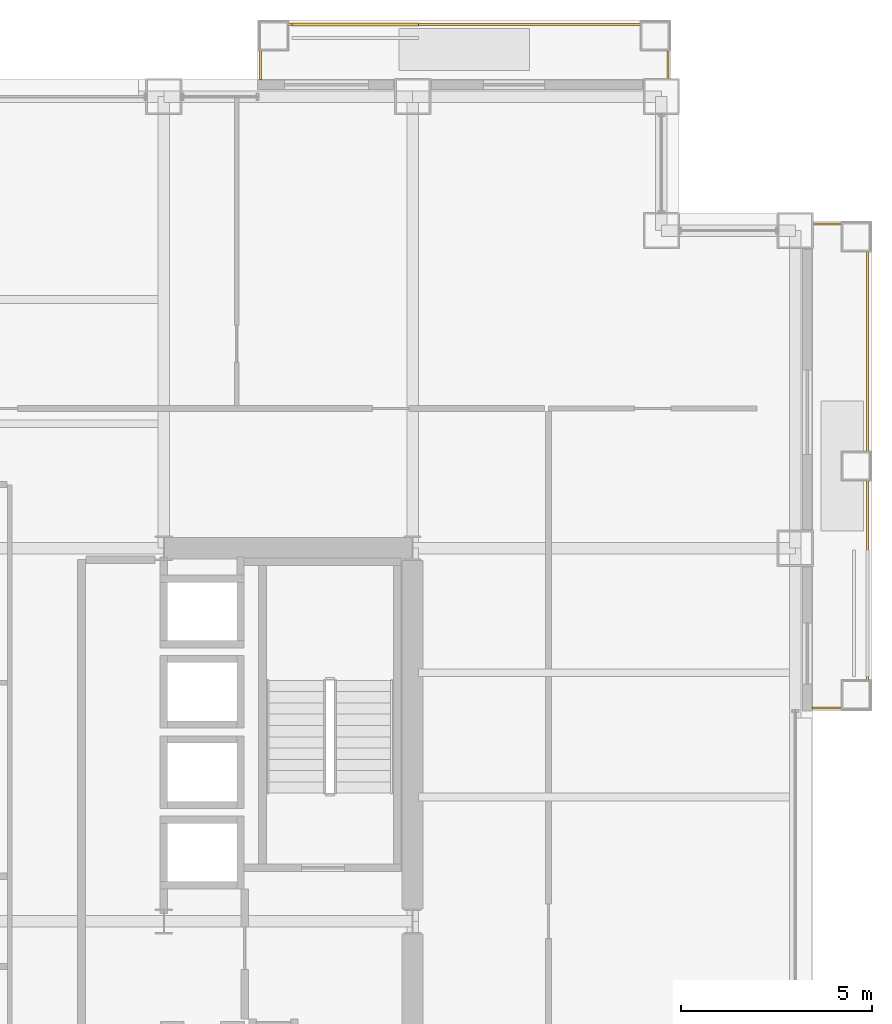
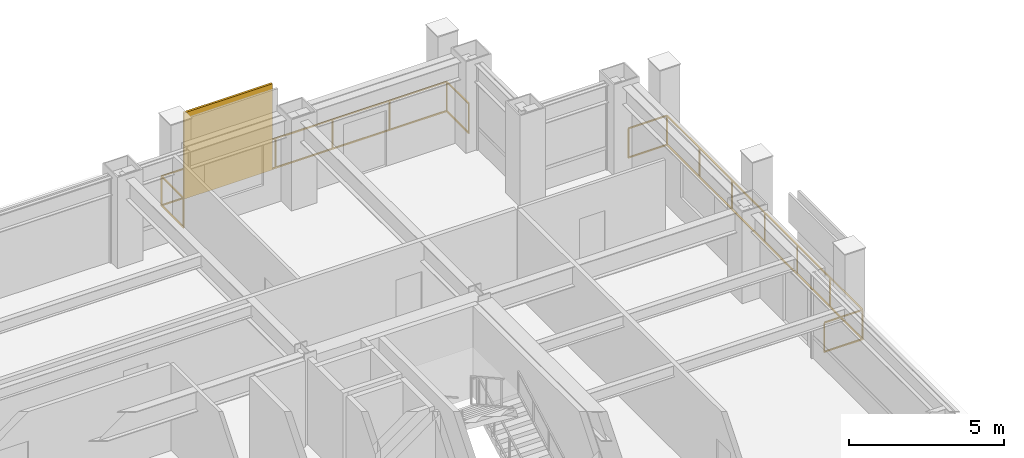
# One storey, part 30 of 31: 2 railings, 1 shading device.
"""IFC4 building model written with IfcOpenShell, lengths in metres."""

from ifc_helpers import new_model, si_unit, direction, frame, origin, origin_2d, place, context, subcontext, project, spatial, rectangle, extrude, material, layer, layer_set, type_object, element, save


model = new_model("IFC4")

# Units and contexts
model_context = context("Model", 3, precision=1e-05, world=origin(), true_north=direction((0.0, 1.0)))
body_context = subcontext(model_context, "Body", "Model", "MODEL_VIEW")
ifc_project = project(units=[si_unit("LENGTHUNIT", "METRE"), si_unit("AREAUNIT", "SQUARE_METRE"), si_unit("VOLUMEUNIT", "CUBIC_METRE"), si_unit("PLANEANGLEUNIT", "RADIAN"), si_unit("MASSUNIT", "GRAM", prefix="KILO")], contexts=[model_context])

# Site, building, storey
site_placement = place(None, origin())
site = spatial("IfcSite", under=ifc_project, at=site_placement, CompositionType="ELEMENT")
building_placement = place(site_placement, origin())
building = spatial("IfcBuilding", under=site, at=building_placement, Name="Brelmoor Portico Tower", CompositionType="ELEMENT")
storey_placement = place(building_placement, frame((0.0, 0.0, 38.39990234375)))
storey = spatial("IfcBuildingStorey", under=building, at=storey_placement, Name="L09", CompositionType="ELEMENT", Elevation=38.39990234375)

# Railings
ifc_material_1 = material(Name="Perforated Pale Champagne Aluminium Fretwork Guard", Category="aluminium")
railing_type = type_object("IfcRailingType", Name="RL-BALUSTRADE-1200", PredefinedType="BALUSTRADE", material=ifc_material_1)
railing_1_placement = place(storey_placement, frame((10.580078125, 22.0, 0.0)))
element("IfcRailing", 1, at=railing_1_placement, inside=storey, type_object=railing_type, Name="L09 Tree Balcony Fretwork Balustrade N", PredefinedType="BALUSTRADE", context=body_context, shape_type="SweptSolid", body=[
    extrude(rectangle(XDim=0.048095703125, YDim=0.048095703125, at=origin_2d()), frame((0.0, 0.0, 1.17578125), z_axis=(0.0, 1.0, 0.0), x_axis=(-1.0, 0.0, 0.0)), (0.0, 0.0, 1.0), 1.429931640625),
    extrude(rectangle(XDim=0.048095703125, YDim=0.048095703125, at=origin_2d()), frame((0.0, 0.0, 0.02392578125), z_axis=(0.0, 1.0, 0.0), x_axis=(-1.0, 0.0, 0.0)), (0.0, 0.0, 1.0), 1.429931640625),
    extrude(rectangle(XDim=0.048095703125, YDim=0.048095703125, at=origin_2d()), frame((0.0, 1.429931640625, 1.17578125), z_axis=(1.0, 0.0, 0.0), x_axis=(0.0, 1.0, 0.0)), (0.0, 0.0, 1.0), 10.639892578125),
    extrude(rectangle(XDim=0.048095703125, YDim=0.048095703125, at=origin_2d()), frame((0.0, 1.429931640625, 0.02392578125), z_axis=(1.0, 0.0, 0.0), x_axis=(0.0, 1.0, 0.0)), (0.0, 0.0, 1.0), 10.639892578125),
    extrude(rectangle(XDim=0.048095703125, YDim=0.048095703125, at=origin_2d()), frame((10.639892578125, 1.429931640625, 1.17578125), z_axis=(0.0, -1.0, 0.0), x_axis=(1.0, 0.0, 0.0)), (0.0, 0.0, 1.0), 1.429931640625),
    extrude(rectangle(XDim=0.048095703125, YDim=0.048095703125, at=origin_2d()), frame((10.639892578125, 1.429931640625, 0.02392578125), z_axis=(0.0, -1.0, 0.0), x_axis=(1.0, 0.0, 0.0)), (0.0, 0.0, 1.0), 1.429931640625),
    extrude(rectangle(XDim=0.0419921875, YDim=0.0419921875, at=origin_2d()), origin(), (0.0, 0.0, 1.0), 1.15185546875),
    extrude(rectangle(XDim=0.0419921875, YDim=0.0419921875, at=origin_2d()), frame((0.0, 1.429931640625, 0.0)), (0.0, 0.0, 1.0), 1.15185546875),
    extrude(rectangle(XDim=0.0419921875, YDim=0.0419921875, at=origin_2d()), frame((2.1279296875, 1.429931640625, 0.0)), (0.0, 0.0, 1.0), 1.15185546875),
    extrude(rectangle(XDim=0.0419921875, YDim=0.0419921875, at=origin_2d()), frame((4.255859375, 1.429931640625, 0.0)), (0.0, 0.0, 1.0), 1.15185546875),
    extrude(rectangle(XDim=0.0419921875, YDim=0.0419921875, at=origin_2d()), frame((6.384033203125, 1.429931640625, 0.0)), (0.0, 0.0, 1.0), 1.15185546875),
    extrude(rectangle(XDim=0.0419921875, YDim=0.0419921875, at=origin_2d()), frame((8.511962890625, 1.429931640625, 0.0)), (0.0, 0.0, 1.0), 1.15185546875),
    extrude(rectangle(XDim=0.0419921875, YDim=0.0419921875, at=origin_2d()), frame((10.639892578125, 1.429931640625, 0.0)), (0.0, 0.0, 1.0), 1.15185546875),
    extrude(rectangle(XDim=0.0419921875, YDim=0.0419921875, at=origin_2d()), frame((10.639892578125, 0.0, 0.0)), (0.0, 0.0, 1.0), 1.15185546875),
])
railing_2_placement = place(storey_placement, frame((25.0, 5.580078125, 0.0)))
element("IfcRailing", 2, at=railing_2_placement, inside=storey, type_object=railing_type, Name="L09 Tree Balcony Fretwork Balustrade E", PredefinedType="BALUSTRADE", context=body_context, shape_type="SweptSolid", body=[
    extrude(rectangle(XDim=0.048095703125, YDim=0.048095703125, at=origin_2d()), frame((0.0, 0.0, 1.17578125), z_axis=(1.0, 0.0, 0.0), x_axis=(0.0, 1.0, 0.0)), (0.0, 0.0, 1.0), 1.429931640625),
    extrude(rectangle(XDim=0.048095703125, YDim=0.048095703125, at=origin_2d()), frame((0.0, 0.0, 0.02392578125), z_axis=(1.0, 0.0, 0.0), x_axis=(0.0, 1.0, 0.0)), (0.0, 0.0, 1.0), 1.429931640625),
    extrude(rectangle(XDim=0.048095703125, YDim=0.048095703125, at=origin_2d()), frame((1.429931640625, 0.0, 1.17578125), z_axis=(0.0, 1.0, 0.0), x_axis=(-1.0, 0.0, 0.0)), (0.0, 0.0, 1.0), 12.639892578125),
    extrude(rectangle(XDim=0.048095703125, YDim=0.048095703125, at=origin_2d()), frame((1.429931640625, 0.0, 0.02392578125), z_axis=(0.0, 1.0, 0.0), x_axis=(-1.0, 0.0, 0.0)), (0.0, 0.0, 1.0), 12.639892578125),
    extrude(rectangle(XDim=0.048095703125, YDim=0.048095703125, at=origin_2d()), frame((1.429931640625, 12.639892578125, 1.17578125), z_axis=(-1.0, 0.0, 0.0), x_axis=(0.0, -1.0, 0.0)), (0.0, 0.0, 1.0), 1.429931640625),
    extrude(rectangle(XDim=0.048095703125, YDim=0.048095703125, at=origin_2d()), frame((1.429931640625, 12.639892578125, 0.02392578125), z_axis=(-1.0, 0.0, 0.0), x_axis=(0.0, -1.0, 0.0)), (0.0, 0.0, 1.0), 1.429931640625),
    extrude(rectangle(XDim=0.0419921875, YDim=0.0419921875, at=origin_2d()), origin(), (0.0, 0.0, 1.0), 1.15185546875),
    extrude(rectangle(XDim=0.0419921875, YDim=0.0419921875, at=origin_2d()), frame((1.429931640625, 0.0, 0.0)), (0.0, 0.0, 1.0), 1.15185546875),
    extrude(rectangle(XDim=0.0419921875, YDim=0.0419921875, at=origin_2d()), frame((1.429931640625, 2.106689453125, 0.0)), (0.0, 0.0, 1.0), 1.15185546875),
    extrude(rectangle(XDim=0.0419921875, YDim=0.0419921875, at=origin_2d()), frame((1.429931640625, 4.21337890625, 0.0)), (0.0, 0.0, 1.0), 1.15185546875),
    extrude(rectangle(XDim=0.0419921875, YDim=0.0419921875, at=origin_2d()), frame((1.429931640625, 6.31982421875, 0.0)), (0.0, 0.0, 1.0), 1.15185546875),
    extrude(rectangle(XDim=0.0419921875, YDim=0.0419921875, at=origin_2d()), frame((1.429931640625, 8.426513671875, 0.0)), (0.0, 0.0, 1.0), 1.15185546875),
    extrude(rectangle(XDim=0.0419921875, YDim=0.0419921875, at=origin_2d()), frame((1.429931640625, 10.533203125, 0.0)), (0.0, 0.0, 1.0), 1.15185546875),
    extrude(rectangle(XDim=0.0419921875, YDim=0.0419921875, at=origin_2d()), frame((1.429931640625, 12.639892578125, 0.0)), (0.0, 0.0, 1.0), 1.15185546875),
    extrude(rectangle(XDim=0.0419921875, YDim=0.0419921875, at=origin_2d()), frame((0.0, 12.639892578125, 0.0)), (0.0, 0.0, 1.0), 1.15185546875),
])

# Shading device
ifc_material_2 = material(Name="Powder-Coated Aluminium Shuttered Jalousie", Category="aluminium")
ifc_layer = layer(ifc_material_2, 0.080078125)
ifc_layer_set = layer_set([ifc_layer], Name="Powder-Coated Aluminium Shuttered Jalousie")
shading_device_type = type_object("IfcShadingDeviceType", Name="SD-JALOUSIE-LOGGIA", PredefinedType="JALOUSIE", material=ifc_layer_set)
shading_device_placement = place(storey_placement, frame((13.050048828125, 23.429931640625, 0.000244140625), z_axis=(0.0, 0.0, 1.0), x_axis=(1.0, 0.0, 0.0)))
element("IfcShadingDevice", 3, at=shading_device_placement, inside=storey, type_object=shading_device_type, Name="L09 Loggia Shuttered Jalousie N", PredefinedType="JALOUSIE", context=body_context, shape_type="SweptSolid", body=[
    extrude(rectangle(XDim=3.300048828125, YDim=0.080078125, at=origin_2d()), origin(), (0.0, 0.0, 1.0), 3.39990234375),
])

save(model, "model.ifc")
